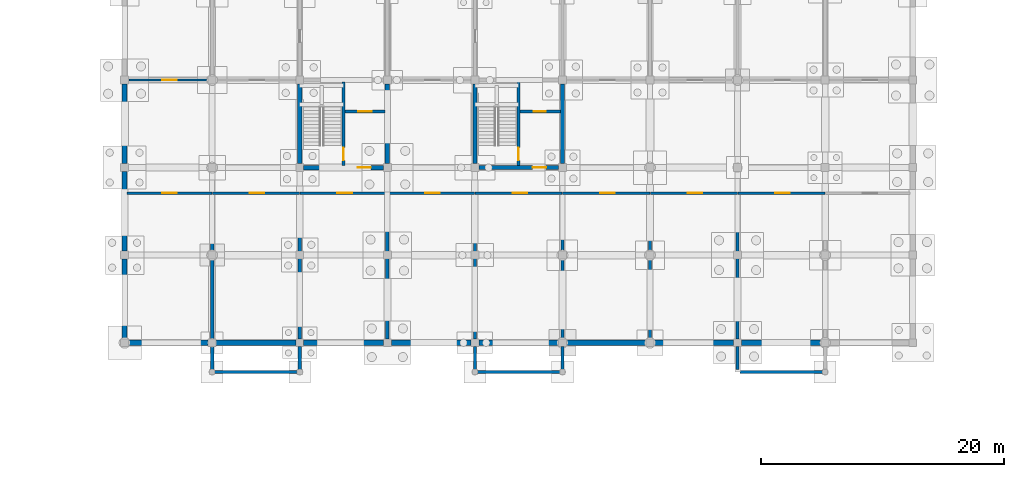
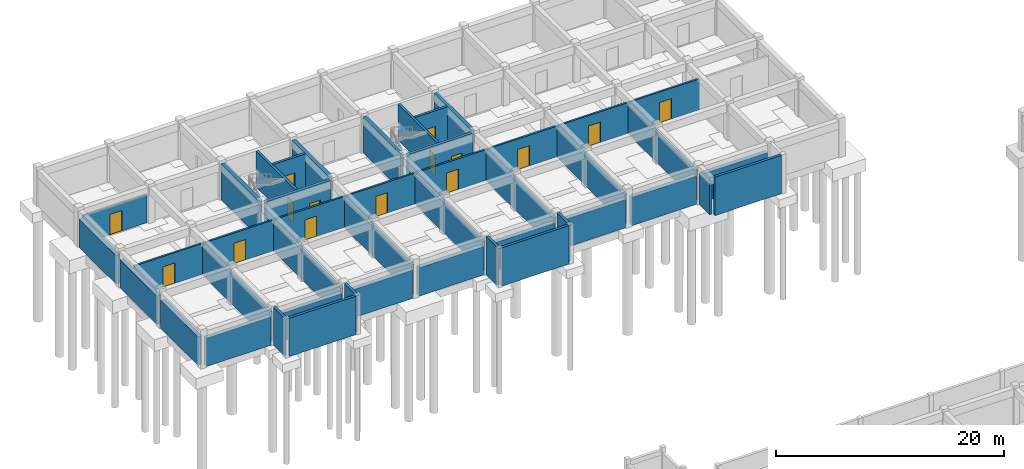
# One storey, part 31 of 38: 45 walls, 15 doors, 15 openings.
"""IFC4 building model written with IfcOpenShell, lengths in metres."""

from ifc_helpers import new_model, si_unit, direction, frame, frame_2d, origin, place, context, subcontext, project, spatial, rectangle, extrude, material, layer, layer_set, type_object, element, fill, save


model = new_model("IFC4")

# Units and contexts
model_context = context("Model", 3, precision=1e-05, world=origin(), true_north=direction((0.0, 1.0)))
body_context = subcontext(model_context, "Body", "Model", "MODEL_VIEW")
ifc_project = project(units=[si_unit("LENGTHUNIT", "METRE"), si_unit("AREAUNIT", "SQUARE_METRE"), si_unit("VOLUMEUNIT", "CUBIC_METRE"), si_unit("PLANEANGLEUNIT", "RADIAN"), si_unit("MASSUNIT", "GRAM", prefix="KILO"), si_unit("THERMODYNAMICTEMPERATUREUNIT", "KELVIN"), si_unit("POWERUNIT", "WATT")], contexts=[model_context])

# Site, building, storey
site_placement = place(None, origin())
site = spatial("IfcSite", under=ifc_project, at=site_placement, CompositionType="ELEMENT")
building_placement = place(site_placement, origin())
building = spatial("IfcBuilding", under=site, at=building_placement, Name="Tavuni Mirador Residences", CompositionType="ELEMENT")
storey_placement = place(building_placement, frame((0.0, 0.0, -4.199951171875)))
storey = spatial("IfcBuildingStorey", under=building, at=storey_placement, Name="B1", CompositionType="ELEMENT", Elevation=-4.199951171875)

# Wall, opening, door
ifc_material_1 = material(Name="Precast concrete C40/50", Category="concrete")
ifc_layer_1 = layer(ifc_material_1, 0.25, Name="Precast concrete C40/50", Category="concrete")
ifc_layer_set_1 = layer_set([ifc_layer_1], Name="Precast concrete C40/50")
wall_type_1 = type_object("IfcWallType", Name="WT-COR250", PredefinedType="SHEAR", material=ifc_layer_set_1)
wall_1_placement = place(storey_placement, frame((28.800048828125, 158.580078125, 0.0), z_axis=(0.0, 0.0, 1.0), x_axis=(0.0, 1.0, 0.0)))
wall_1 = element("IfcWall", 1, at=wall_1_placement, inside=storey, type_object=wall_type_1, Name="CWALL-C5-B1-MID", PredefinedType="SHEAR", context=body_context, shape_type="SweptSolid", body=[
    extrude(rectangle(XDim=6.83984375, YDim=0.25, at=frame_2d((3.419921875, 0.0))), origin(), (0.0, 0.0, 1.0), 3.8798828125),
])
opening_1_placement = place(wall_1_placement, frame((0.419921875, 0.0, 0.0)))
opening_1 = element("IfcOpeningElement", 2, at=opening_1_placement, cuts=wall_1, Name="Opening D-01", PredefinedType="OPENING", context=body_context, shape_type="SweptSolid", body=[
    extrude(rectangle(XDim=1.050048828125, YDim=2.14990234375, at=frame_2d((0.52490234375, 1.074951171875))), frame((0.0, 0.135009765625, 0.0), z_axis=(0.0, -1.0, 0.0), x_axis=(1.0, 0.0, 0.0)), (0.0, 0.0, 1.0), 0.27001953125),
])
ifc_material_2 = material(Name="Solid core iroko timber", Category="wood")
door_type_1 = type_object("IfcDoorType", Name="DT-ST1050", OperationType="NOTDEFINED", PredefinedType="DOOR", material=ifc_material_2)
door_1_placement = place(opening_1_placement, origin())
door_1 = element("IfcDoor", 3, at=door_1_placement, inside=storey, type_object=door_type_1, Name="DR-2172", OperationType="SINGLE_SWING_RIGHT", OverallHeight=2.14990234375, OverallWidth=1.050048828125, PredefinedType="DOOR", context=body_context, shape_type="SweptSolid", body=[
    extrude(rectangle(XDim=1.050048828125, YDim=2.14990234375, at=frame_2d((0.52490234375, 1.074951171875))), frame((0.0, 0.02490234375, 0.0), z_axis=(0.0, -1.0, 0.0), x_axis=(1.0, 0.0, 0.0)), (0.0, 0.0, 1.0), 0.050048828125),
])
fill(opening_1, door_1)

wall_2_placement = place(storey_placement, frame((28.925048828125, 163.0, 0.0), z_axis=(0.0, 0.0, 1.0), x_axis=(1.0, 0.0, 0.0)))
wall_2 = element("IfcWall", 4, at=wall_2_placement, inside=storey, type_object=wall_type_1, Name="CWALL-C5-B1-SHF", PredefinedType="SHEAR", context=body_context, shape_type="SweptSolid", body=[
    extrude(rectangle(XDim=3.294921875, YDim=0.25, at=frame_2d((1.6474609375, 0.0))), origin(), (0.0, 0.0, 1.0), 3.8798828125),
])
opening_2_placement = place(wall_2_placement, frame((1.10009765625, 0.0, 0.0)))
opening_2 = element("IfcOpeningElement", 5, at=opening_2_placement, cuts=wall_2, Name="Opening LD-01", PredefinedType="OPENING", context=body_context, shape_type="SweptSolid", body=[
    extrude(rectangle(XDim=1.10009765625, YDim=2.199951171875, at=frame_2d((0.550048828125, 1.10009765625))), frame((0.0, 0.135009765625, 0.0), z_axis=(0.0, -1.0, 0.0), x_axis=(1.0, 0.0, 0.0)), (0.0, 0.0, 1.0), 0.27001953125),
])
ifc_material_3 = material(Name="Structural steel S355", Category="steel")
door_type_2 = type_object("IfcDoorType", Name="DT-LD-FF", OperationType="SLIDING_TO_LEFT", PredefinedType="DOOR", material=ifc_material_3)
door_2_placement = place(opening_2_placement, origin())
door_2 = element("IfcDoor", 6, at=door_2_placement, inside=storey, type_object=door_type_2, Name="Lift landing door FL-C1 B1", OperationType="SLIDING_TO_LEFT", OverallHeight=2.199951171875, OverallWidth=1.10009765625, PredefinedType="DOOR", context=body_context, shape_type="SweptSolid", body=[
    extrude(rectangle(XDim=1.10009765625, YDim=2.199951171875, at=frame_2d((0.550048828125, 1.10009765625))), frame((0.0, 0.02490234375, 0.0), z_axis=(0.0, -1.0, 0.0), x_axis=(1.0, 0.0, 0.0)), (0.0, 0.0, 1.0), 0.050048828125),
])
fill(opening_2, door_2)

wall_3_placement = place(storey_placement, frame((43.199951171875, 158.56005859375, 0.0), z_axis=(0.0, 0.0, 1.0), x_axis=(0.0, 1.0, 0.0)))
wall_3 = element("IfcWall", 7, at=wall_3_placement, inside=storey, type_object=wall_type_1, Name="CWALL-C6-B1-MID", PredefinedType="SHEAR", context=body_context, shape_type="SweptSolid", body=[
    extrude(rectangle(XDim=6.8798828125, YDim=0.25, at=frame_2d((3.43994140625, 0.0))), origin(), (0.0, 0.0, 1.0), 3.8798828125),
])
opening_3_placement = place(wall_3_placement, frame((0.43994140625, 0.0, 0.0)))
opening_3 = element("IfcOpeningElement", 8, at=opening_3_placement, cuts=wall_3, Name="Opening D-01", PredefinedType="OPENING", context=body_context, shape_type="SweptSolid", body=[
    extrude(rectangle(XDim=1.050048828125, YDim=2.14990234375, at=frame_2d((0.52490234375, 1.074951171875))), frame((0.0, 0.135009765625, 0.0), z_axis=(0.0, -1.0, 0.0), x_axis=(1.0, 0.0, 0.0)), (0.0, 0.0, 1.0), 0.27001953125),
])
door_3_placement = place(opening_3_placement, origin())
door_3 = element("IfcDoor", 9, at=door_3_placement, inside=storey, type_object=door_type_1, Name="DR-2217", OperationType="SINGLE_SWING_LEFT", OverallHeight=2.14990234375, OverallWidth=1.050048828125, PredefinedType="DOOR", context=body_context, shape_type="SweptSolid", body=[
    extrude(rectangle(XDim=1.050048828125, YDim=2.14990234375, at=frame_2d((0.52490234375, 1.074951171875))), frame((0.0, 0.02490234375, 0.0), z_axis=(0.0, -1.0, 0.0), x_axis=(1.0, 0.0, 0.0)), (0.0, 0.0, 1.0), 0.050048828125),
])
fill(opening_3, door_3)

wall_4_placement = place(storey_placement, frame((43.324951171875, 163.0, 0.0), z_axis=(0.0, 0.0, 1.0), x_axis=(1.0, 0.0, 0.0)))
wall_4 = element("IfcWall", 10, at=wall_4_placement, inside=storey, type_object=wall_type_1, Name="CWALL-C6-B1-SHF", PredefinedType="SHEAR", context=body_context, shape_type="SweptSolid", body=[
    extrude(rectangle(XDim=3.31494140625, YDim=0.25, at=frame_2d((1.657470703125, 0.0))), origin(), (0.0, 0.0, 1.0), 3.8798828125),
])
opening_4_placement = place(wall_4_placement, frame((1.10009765625, 0.0, 0.0)))
opening_4 = element("IfcOpeningElement", 11, at=opening_4_placement, cuts=wall_4, Name="Opening LD-02", PredefinedType="OPENING", context=body_context, shape_type="SweptSolid", body=[
    extrude(rectangle(XDim=1.0, YDim=2.199951171875, at=frame_2d((0.5, 1.10009765625))), frame((0.0, 0.135009765625, 0.0), z_axis=(0.0, -1.0, 0.0), x_axis=(1.0, 0.0, 0.0)), (0.0, 0.0, 1.0), 0.27001953125),
])
door_type_3 = type_object("IfcDoorType", Name="DT-LD-PAX", OperationType="SLIDING_TO_LEFT", PredefinedType="DOOR", material=ifc_material_3)
door_4_placement = place(opening_4_placement, origin())
door_4 = element("IfcDoor", 12, at=door_4_placement, inside=storey, type_object=door_type_3, Name="Lift landing door PL-C1 B1", OperationType="SLIDING_TO_LEFT", OverallHeight=2.199951171875, OverallWidth=1.0, PredefinedType="DOOR", context=body_context, shape_type="SweptSolid", body=[
    extrude(rectangle(XDim=1.0, YDim=2.199951171875, at=frame_2d((0.5, 1.10009765625))), frame((0.0, 0.02490234375, 0.0), z_axis=(0.0, -1.0, 0.0), x_axis=(1.0, 0.0, 0.0)), (0.0, 0.0, 1.0), 0.050048828125),
])
fill(opening_4, door_4)

# Walls
ifc_layer_2 = layer(ifc_material_1, 0.320068359375, Name="Precast concrete C40/50", Category="concrete")
ifc_layer_set_2 = layer_set([ifc_layer_2], Name="Precast concrete C40/50")
wall_type_2 = type_object("IfcWallType", Name="WT-COR320", PredefinedType="SHEAR", material=ifc_layer_set_2)
for number, where, z_axis, x_axis, name in (
    (13, (39.60009765625, 158.72509765625, 0.0), (0.0, 0.0, 1.0), (0.0, 1.0, 0.0), "CWALL-C6-B1-W"),
    (14, (46.800048828125, 158.72509765625, 0.0), (0.0, 0.0, 1.0), (0.0, 1.0, 0.0), "CWALL-C6-B1-E"),
):
    element("IfcWall", number, at=place(storey_placement, frame(where, z_axis=z_axis, x_axis=x_axis)), inside=storey, type_object=wall_type_2, Name=name, PredefinedType="SHEAR", context=body_context, shape_type="SweptSolid", body=[
        extrude(rectangle(XDim=6.5498046875, YDim=0.320068359375, at=frame_2d((3.27490234375, 0.0))), origin(), (0.0, 0.0, 1.0), 3.8798828125),
    ])

# Wall, opening, door
wall_5_placement = place(storey_placement, frame((39.925048828125, 158.39990234375, 0.0), z_axis=(0.0, 0.0, 1.0), x_axis=(1.0, 0.0, 0.0)))
wall_5 = element("IfcWall", 15, at=wall_5_placement, inside=storey, type_object=wall_type_2, Name="CWALL-C6-B1-SS", PredefinedType="SHEAR", context=body_context, shape_type="SweptSolid", body=[
    extrude(rectangle(XDim=6.550048828125, YDim=0.320068359375, at=frame_2d((3.27490234375, 0.0))), origin(), (0.0, 0.0, 1.0), 3.8798828125),
])
opening_5_placement = place(wall_5_placement, frame((4.425048828125, 0.0, 0.0)))
opening_5 = element("IfcOpeningElement", 16, at=opening_5_placement, cuts=wall_5, Name="Opening D-02", PredefinedType="OPENING", context=body_context, shape_type="SweptSolid", body=[
    extrude(rectangle(XDim=1.10009765625, YDim=2.14990234375, at=frame_2d((0.550048828125, 1.074951171875))), frame((0.0, 0.169921875, 0.0), z_axis=(0.0, -1.0, 0.0), x_axis=(1.0, 0.0, 0.0)), (0.0, 0.0, 1.0), 0.340087890625),
])
door_type_4 = type_object("IfcDoorType", Name="DT-LOB1100", OperationType="NOTDEFINED", PredefinedType="DOOR", material=ifc_material_2)
door_5_placement = place(opening_5_placement, frame((1.10009765625, 0.0, 0.0), z_axis=(0.0, 0.0, 1.0), x_axis=(-1.0, 0.0, 0.0)))
door_5 = element("IfcDoor", 17, at=door_5_placement, inside=storey, type_object=door_type_4, Name="DR-2216", OperationType="SINGLE_SWING_RIGHT", OverallHeight=2.14990234375, OverallWidth=1.10009765625, PredefinedType="DOOR", context=body_context, shape_type="SweptSolid", body=[
    extrude(rectangle(XDim=1.10009765625, YDim=2.14990234375, at=frame_2d((0.550048828125, 1.074951171875))), frame((0.0, 0.02490234375, 0.0), z_axis=(0.0, -1.0, 0.0), x_axis=(1.0, 0.0, 0.0)), (0.0, 0.0, 1.0), 0.050048828125),
])
fill(opening_5, door_5)

# Walls
ifc_layer_3 = layer(ifc_material_1, 0.360107421875, Name="Precast concrete C40/50", Category="concrete")
ifc_layer_set_3 = layer_set([ifc_layer_3], Name="Precast concrete C40/50")
wall_type_3 = type_object("IfcWallType", Name="WT-COR360", PredefinedType="SHEAR", material=ifc_layer_set_3)
for number, where, z_axis, x_axis, name in (
    (18, (25.199951171875, 158.72509765625, 0.0), (0.0, 0.0, 1.0), (0.0, 1.0, 0.0), "CWALL-C5-B1-W"),
    (19, (32.39990234375, 158.72509765625, 0.0), (0.0, 0.0, 1.0), (0.0, 1.0, 0.0), "CWALL-C5-B1-E"),
):
    element("IfcWall", number, at=place(storey_placement, frame(where, z_axis=z_axis, x_axis=x_axis)), inside=storey, type_object=wall_type_3, Name=name, PredefinedType="SHEAR", context=body_context, shape_type="SweptSolid", body=[
        extrude(rectangle(XDim=6.5498046875, YDim=0.360107421875, at=frame_2d((3.27490234375, 0.0))), origin(), (0.0, 0.0, 1.0), 3.8798828125),
    ])

# Wall, opening, door
wall_6_placement = place(storey_placement, frame((25.52490234375, 158.39990234375, 0.0), z_axis=(0.0, 0.0, 1.0), x_axis=(1.0, 0.0, 0.0)))
wall_6 = element("IfcWall", 20, at=wall_6_placement, inside=storey, type_object=wall_type_3, Name="CWALL-C5-B1-SS", PredefinedType="SHEAR", context=body_context, shape_type="SweptSolid", body=[
    extrude(rectangle(XDim=6.550048828125, YDim=0.360107421875, at=frame_2d((3.27490234375, 0.0))), origin(), (0.0, 0.0, 1.0), 3.8798828125),
])
opening_6_placement = place(wall_6_placement, frame((4.425048828125, 0.0, 0.0)))
opening_6 = element("IfcOpeningElement", 21, at=opening_6_placement, cuts=wall_6, Name="Opening D-02", PredefinedType="OPENING", context=body_context, shape_type="SweptSolid", body=[
    extrude(rectangle(XDim=1.10009765625, YDim=2.14990234375, at=frame_2d((0.550048828125, 1.074951171875))), frame((0.0, 0.18994140625, 0.0), z_axis=(0.0, -1.0, 0.0), x_axis=(1.0, 0.0, 0.0)), (0.0, 0.0, 1.0), 0.380126953125),
])
door_6_placement = place(opening_6_placement, frame((1.10009765625, 0.0, 0.0), z_axis=(0.0, 0.0, 1.0), x_axis=(-1.0, 0.0, 0.0)))
door_6 = element("IfcDoor", 22, at=door_6_placement, inside=storey, type_object=door_type_4, Name="DR-2171", OperationType="SINGLE_SWING_LEFT", OverallHeight=2.14990234375, OverallWidth=1.10009765625, PredefinedType="DOOR", context=body_context, shape_type="SweptSolid", body=[
    extrude(rectangle(XDim=1.10009765625, YDim=2.14990234375, at=frame_2d((0.550048828125, 1.074951171875))), frame((0.0, 0.02490234375, 0.0), z_axis=(0.0, -1.0, 0.0), x_axis=(1.0, 0.0, 0.0)), (0.0, 0.0, 1.0), 0.050048828125),
])
fill(opening_6, door_6)

ifc_layer_4 = layer(ifc_material_1, 0.18505859375, Name="Precast concrete C40/50", Category="concrete")
ifc_layer_set_4 = layer_set([ifc_layer_4], Name="Precast concrete C40/50")
wall_type_4 = type_object("IfcWallType", Name="WT-CORR185", PredefinedType="PARTITIONING", material=ifc_layer_set_4)
wall_7_placement = place(storey_placement, frame((11.014892578125, 156.300048828125, 0.0), z_axis=(0.0, 0.0, 1.0), x_axis=(1.0, 0.0, 0.0)))
wall_7 = element("IfcWall", 23, at=wall_7_placement, inside=storey, type_object=wall_type_4, Name="CORW-BLK-C-B1-0-00", PredefinedType="PARTITIONING", context=body_context, shape_type="SweptSolid", body=[
    extrude(rectangle(XDim=6.965087890625, YDim=0.18505859375, at=frame_2d((3.482421875, 0.0))), origin(), (0.0, 0.0, 1.0), 3.31494140625),
])
opening_7_placement = place(wall_7_placement, frame((2.885009765625, 0.0, 0.0)))
opening_7 = element("IfcOpeningElement", 24, at=opening_7_placement, cuts=wall_7, Name="Opening D-18", PredefinedType="OPENING", context=body_context, shape_type="SweptSolid", body=[
    extrude(rectangle(XDim=1.199951171875, YDim=2.199951171875, at=frame_2d((0.60009765625, 1.10009765625))), frame((0.0, 0.1025390625, 0.0), z_axis=(0.0, -1.0, 0.0), x_axis=(1.0, 0.0, 0.0)), (0.0, 0.0, 1.0), 0.205078125),
])
door_type_5 = type_object("IfcDoorType", Name="DT-PLT1200", OperationType="NOTDEFINED", PredefinedType="DOOR", material=ifc_material_3)
door_7_placement = place(opening_7_placement, origin())
door_7 = element("IfcDoor", 25, at=door_7_placement, inside=storey, type_object=door_type_5, Name="DR-2595", OperationType="SINGLE_SWING_RIGHT", OverallHeight=2.199951171875, OverallWidth=1.199951171875, PredefinedType="DOOR", context=body_context, shape_type="SweptSolid", body=[
    extrude(rectangle(XDim=1.199951171875, YDim=2.199951171875, at=frame_2d((0.60009765625, 1.10009765625))), frame((0.0, 0.02490234375, 0.0), z_axis=(0.0, -1.0, 0.0), x_axis=(1.0, 0.0, 0.0)), (0.0, 0.0, 1.0), 0.050048828125),
])
fill(opening_7, door_7)

wall_8_placement = place(storey_placement, frame((18.02001953125, 156.300048828125, 0.0), z_axis=(0.0, 0.0, 1.0), x_axis=(1.0, 0.0, 0.0)))
wall_8 = element("IfcWall", 26, at=wall_8_placement, inside=storey, type_object=wall_type_4, Name="CORW-BLK-C-B1-0-01", PredefinedType="PARTITIONING", context=body_context, shape_type="SweptSolid", body=[
    extrude(rectangle(XDim=7.159912109375, YDim=0.18505859375, at=frame_2d((3.580078125, 0.0))), origin(), (0.0, 0.0, 1.0), 3.31494140625),
])
opening_8_placement = place(wall_8_placement, frame((3.080078125, 0.0, 0.0)))
opening_8 = element("IfcOpeningElement", 27, at=opening_8_placement, cuts=wall_8, Name="Opening D-18", PredefinedType="OPENING", context=body_context, shape_type="SweptSolid", body=[
    extrude(rectangle(XDim=1.199951171875, YDim=2.199951171875, at=frame_2d((0.60009765625, 1.10009765625))), frame((0.0, 0.1025390625, 0.0), z_axis=(0.0, -1.0, 0.0), x_axis=(1.0, 0.0, 0.0)), (0.0, 0.0, 1.0), 0.205078125),
])
door_8_placement = place(opening_8_placement, origin())
door_8 = element("IfcDoor", 28, at=door_8_placement, inside=storey, type_object=door_type_5, Name="DR-2596", OperationType="SINGLE_SWING_LEFT", OverallHeight=2.199951171875, OverallWidth=1.199951171875, PredefinedType="DOOR", context=body_context, shape_type="SweptSolid", body=[
    extrude(rectangle(XDim=1.199951171875, YDim=2.199951171875, at=frame_2d((0.60009765625, 1.10009765625))), frame((0.0, 0.02490234375, 0.0), z_axis=(0.0, -1.0, 0.0), x_axis=(1.0, 0.0, 0.0)), (0.0, 0.0, 1.0), 0.050048828125),
])
fill(opening_8, door_8)

wall_9_placement = place(storey_placement, frame((25.219970703125, 156.300048828125, 0.0), z_axis=(0.0, 0.0, 1.0), x_axis=(1.0, 0.0, 0.0)))
wall_9 = element("IfcWall", 29, at=wall_9_placement, inside=storey, type_object=wall_type_4, Name="CORW-BLK-C-B1-0-02", PredefinedType="PARTITIONING", context=body_context, shape_type="SweptSolid", body=[
    extrude(rectangle(XDim=7.159912109375, YDim=0.18505859375, at=frame_2d((3.580078125, 0.0))), origin(), (0.0, 0.0, 1.0), 3.31494140625),
])
opening_9_placement = place(wall_9_placement, frame((3.080078125, 0.0, 0.0)))
opening_9 = element("IfcOpeningElement", 30, at=opening_9_placement, cuts=wall_9, Name="Opening D-18", PredefinedType="OPENING", context=body_context, shape_type="SweptSolid", body=[
    extrude(rectangle(XDim=1.199951171875, YDim=2.199951171875, at=frame_2d((0.60009765625, 1.10009765625))), frame((0.0, 0.1025390625, 0.0), z_axis=(0.0, -1.0, 0.0), x_axis=(1.0, 0.0, 0.0)), (0.0, 0.0, 1.0), 0.205078125),
])
door_9_placement = place(opening_9_placement, origin())
door_9 = element("IfcDoor", 31, at=door_9_placement, inside=storey, type_object=door_type_5, Name="DR-2597", OperationType="SINGLE_SWING_RIGHT", OverallHeight=2.199951171875, OverallWidth=1.199951171875, PredefinedType="DOOR", context=body_context, shape_type="SweptSolid", body=[
    extrude(rectangle(XDim=1.199951171875, YDim=2.199951171875, at=frame_2d((0.60009765625, 1.10009765625))), frame((0.0, 0.02490234375, 0.0), z_axis=(0.0, -1.0, 0.0), x_axis=(1.0, 0.0, 0.0)), (0.0, 0.0, 1.0), 0.050048828125),
])
fill(opening_9, door_9)

wall_10_placement = place(storey_placement, frame((32.419921875, 156.300048828125, 0.0), z_axis=(0.0, 0.0, 1.0), x_axis=(1.0, 0.0, 0.0)))
wall_10 = element("IfcWall", 32, at=wall_10_placement, inside=storey, type_object=wall_type_4, Name="CORW-BLK-C-B1-0-03", PredefinedType="PARTITIONING", context=body_context, shape_type="SweptSolid", body=[
    extrude(rectangle(XDim=7.16015625, YDim=0.18505859375, at=frame_2d((3.580078125, 0.0))), origin(), (0.0, 0.0, 1.0), 3.31494140625),
])
opening_10_placement = place(wall_10_placement, frame((3.080078125, 0.0, 0.0)))
opening_10 = element("IfcOpeningElement", 33, at=opening_10_placement, cuts=wall_10, Name="Opening D-18", PredefinedType="OPENING", context=body_context, shape_type="SweptSolid", body=[
    extrude(rectangle(XDim=1.199951171875, YDim=2.199951171875, at=frame_2d((0.60009765625, 1.10009765625))), frame((0.0, 0.1025390625, 0.0), z_axis=(0.0, -1.0, 0.0), x_axis=(1.0, 0.0, 0.0)), (0.0, 0.0, 1.0), 0.205078125),
])
door_10_placement = place(opening_10_placement, origin())
door_10 = element("IfcDoor", 34, at=door_10_placement, inside=storey, type_object=door_type_5, Name="DR-2598", OperationType="SINGLE_SWING_LEFT", OverallHeight=2.199951171875, OverallWidth=1.199951171875, PredefinedType="DOOR", context=body_context, shape_type="SweptSolid", body=[
    extrude(rectangle(XDim=1.199951171875, YDim=2.199951171875, at=frame_2d((0.60009765625, 1.10009765625))), frame((0.0, 0.02490234375, 0.0), z_axis=(0.0, -1.0, 0.0), x_axis=(1.0, 0.0, 0.0)), (0.0, 0.0, 1.0), 0.050048828125),
])
fill(opening_10, door_10)

wall_11_placement = place(storey_placement, frame((39.6201171875, 156.300048828125, 0.0), z_axis=(0.0, 0.0, 1.0), x_axis=(1.0, 0.0, 0.0)))
wall_11 = element("IfcWall", 35, at=wall_11_placement, inside=storey, type_object=wall_type_4, Name="CORW-BLK-C-B1-0-04", PredefinedType="PARTITIONING", context=body_context, shape_type="SweptSolid", body=[
    extrude(rectangle(XDim=7.159912109375, YDim=0.18505859375, at=frame_2d((3.580078125, 0.0))), origin(), (0.0, 0.0, 1.0), 3.31494140625),
])
opening_11_placement = place(wall_11_placement, frame((3.080078125, 0.0, 0.0)))
opening_11 = element("IfcOpeningElement", 36, at=opening_11_placement, cuts=wall_11, Name="Opening D-18", PredefinedType="OPENING", context=body_context, shape_type="SweptSolid", body=[
    extrude(rectangle(XDim=1.199951171875, YDim=2.199951171875, at=frame_2d((0.60009765625, 1.10009765625))), frame((0.0, 0.1025390625, 0.0), z_axis=(0.0, -1.0, 0.0), x_axis=(1.0, 0.0, 0.0)), (0.0, 0.0, 1.0), 0.205078125),
])
door_11_placement = place(opening_11_placement, origin())
door_11 = element("IfcDoor", 37, at=door_11_placement, inside=storey, type_object=door_type_5, Name="DR-2599", OperationType="SINGLE_SWING_RIGHT", OverallHeight=2.199951171875, OverallWidth=1.199951171875, PredefinedType="DOOR", context=body_context, shape_type="SweptSolid", body=[
    extrude(rectangle(XDim=1.199951171875, YDim=2.199951171875, at=frame_2d((0.60009765625, 1.10009765625))), frame((0.0, 0.02490234375, 0.0), z_axis=(0.0, -1.0, 0.0), x_axis=(1.0, 0.0, 0.0)), (0.0, 0.0, 1.0), 0.050048828125),
])
fill(opening_11, door_11)

wall_12_placement = place(storey_placement, frame((46.820068359375, 156.300048828125, 0.0), z_axis=(0.0, 0.0, 1.0), x_axis=(1.0, 0.0, 0.0)))
wall_12 = element("IfcWall", 38, at=wall_12_placement, inside=storey, type_object=wall_type_4, Name="CORW-BLK-C-B1-0-05", PredefinedType="PARTITIONING", context=body_context, shape_type="SweptSolid", body=[
    extrude(rectangle(XDim=7.159912109375, YDim=0.18505859375, at=frame_2d((3.580078125, 0.0))), origin(), (0.0, 0.0, 1.0), 3.31494140625),
])
opening_12_placement = place(wall_12_placement, frame((3.080078125, 0.0, 0.0)))
opening_12 = element("IfcOpeningElement", 39, at=opening_12_placement, cuts=wall_12, Name="Opening D-18", PredefinedType="OPENING", context=body_context, shape_type="SweptSolid", body=[
    extrude(rectangle(XDim=1.199951171875, YDim=2.199951171875, at=frame_2d((0.60009765625, 1.10009765625))), frame((0.0, 0.1025390625, 0.0), z_axis=(0.0, -1.0, 0.0), x_axis=(1.0, 0.0, 0.0)), (0.0, 0.0, 1.0), 0.205078125),
])
door_12_placement = place(opening_12_placement, origin())
door_12 = element("IfcDoor", 40, at=door_12_placement, inside=storey, type_object=door_type_5, Name="DR-2600", OperationType="SINGLE_SWING_LEFT", OverallHeight=2.199951171875, OverallWidth=1.199951171875, PredefinedType="DOOR", context=body_context, shape_type="SweptSolid", body=[
    extrude(rectangle(XDim=1.199951171875, YDim=2.199951171875, at=frame_2d((0.60009765625, 1.10009765625))), frame((0.0, 0.02490234375, 0.0), z_axis=(0.0, -1.0, 0.0), x_axis=(1.0, 0.0, 0.0)), (0.0, 0.0, 1.0), 0.050048828125),
])
fill(opening_12, door_12)

wall_13_placement = place(storey_placement, frame((54.02001953125, 156.300048828125, 0.0), z_axis=(0.0, 0.0, 1.0), x_axis=(1.0, 0.0, 0.0)))
wall_13 = element("IfcWall", 41, at=wall_13_placement, inside=storey, type_object=wall_type_4, Name="CORW-BLK-C-B1-0-06", PredefinedType="PARTITIONING", context=body_context, shape_type="SweptSolid", body=[
    extrude(rectangle(XDim=7.159912109375, YDim=0.18505859375, at=frame_2d((3.580078125, 0.0))), origin(), (0.0, 0.0, 1.0), 3.31494140625),
])
opening_13_placement = place(wall_13_placement, frame((3.080078125, 0.0, 0.0)))
opening_13 = element("IfcOpeningElement", 42, at=opening_13_placement, cuts=wall_13, Name="Opening D-18", PredefinedType="OPENING", context=body_context, shape_type="SweptSolid", body=[
    extrude(rectangle(XDim=1.199951171875, YDim=2.199951171875, at=frame_2d((0.60009765625, 1.10009765625))), frame((0.0, 0.1025390625, 0.0), z_axis=(0.0, -1.0, 0.0), x_axis=(1.0, 0.0, 0.0)), (0.0, 0.0, 1.0), 0.205078125),
])
door_13_placement = place(opening_13_placement, origin())
door_13 = element("IfcDoor", 43, at=door_13_placement, inside=storey, type_object=door_type_5, Name="DR-2601", OperationType="SINGLE_SWING_RIGHT", OverallHeight=2.199951171875, OverallWidth=1.199951171875, PredefinedType="DOOR", context=body_context, shape_type="SweptSolid", body=[
    extrude(rectangle(XDim=1.199951171875, YDim=2.199951171875, at=frame_2d((0.60009765625, 1.10009765625))), frame((0.0, 0.02490234375, 0.0), z_axis=(0.0, -1.0, 0.0), x_axis=(1.0, 0.0, 0.0)), (0.0, 0.0, 1.0), 0.050048828125),
])
fill(opening_13, door_13)

wall_14_placement = place(storey_placement, frame((61.219970703125, 156.300048828125, 0.0), z_axis=(0.0, 0.0, 1.0), x_axis=(1.0, 0.0, 0.0)))
wall_14 = element("IfcWall", 44, at=wall_14_placement, inside=storey, type_object=wall_type_4, Name="CORW-BLK-C-B1-0-07", PredefinedType="PARTITIONING", context=body_context, shape_type="SweptSolid", body=[
    extrude(rectangle(XDim=7.159912109375, YDim=0.18505859375, at=frame_2d((3.580078125, 0.0))), origin(), (0.0, 0.0, 1.0), 3.31494140625),
])
opening_14_placement = place(wall_14_placement, frame((3.080078125, 0.0, 0.0)))
opening_14 = element("IfcOpeningElement", 45, at=opening_14_placement, cuts=wall_14, Name="Opening D-18", PredefinedType="OPENING", context=body_context, shape_type="SweptSolid", body=[
    extrude(rectangle(XDim=1.199951171875, YDim=2.199951171875, at=frame_2d((0.60009765625, 1.10009765625))), frame((0.0, 0.1025390625, 0.0), z_axis=(0.0, -1.0, 0.0), x_axis=(1.0, 0.0, 0.0)), (0.0, 0.0, 1.0), 0.205078125),
])
door_14_placement = place(opening_14_placement, origin())
door_14 = element("IfcDoor", 46, at=door_14_placement, inside=storey, type_object=door_type_5, Name="DR-2602", OperationType="SINGLE_SWING_LEFT", OverallHeight=2.199951171875, OverallWidth=1.199951171875, PredefinedType="DOOR", context=body_context, shape_type="SweptSolid", body=[
    extrude(rectangle(XDim=1.199951171875, YDim=2.199951171875, at=frame_2d((0.60009765625, 1.10009765625))), frame((0.0, 0.02490234375, 0.0), z_axis=(0.0, -1.0, 0.0), x_axis=(1.0, 0.0, 0.0)), (0.0, 0.0, 1.0), 0.050048828125),
])
fill(opening_14, door_14)

wall_15_placement = place(storey_placement, frame((11.14990234375, 165.60009765625, 0.0), z_axis=(0.0, 0.0, 1.0), x_axis=(1.0, 0.0, 0.0)))
wall_15 = element("IfcWall", 47, at=wall_15_placement, inside=storey, type_object=wall_type_4, Name="CORW-BLK-C-B1-1-00", PredefinedType="PARTITIONING", context=body_context, shape_type="SweptSolid", body=[
    extrude(rectangle(XDim=6.5, YDim=0.18505859375, at=frame_2d((3.25, 0.0))), origin(), (0.0, 0.0, 1.0), 3.030029296875),
])
opening_15_placement = place(wall_15_placement, frame((2.75, 0.0, 0.0)))
opening_15 = element("IfcOpeningElement", 48, at=opening_15_placement, cuts=wall_15, Name="Opening D-18", PredefinedType="OPENING", context=body_context, shape_type="SweptSolid", body=[
    extrude(rectangle(XDim=1.199951171875, YDim=2.199951171875, at=frame_2d((0.60009765625, 1.10009765625))), frame((0.0, 0.1025390625, 0.0), z_axis=(0.0, -1.0, 0.0), x_axis=(1.0, 0.0, 0.0)), (0.0, 0.0, 1.0), 0.205078125),
])
door_15_placement = place(opening_15_placement, origin())
door_15 = element("IfcDoor", 49, at=door_15_placement, inside=storey, type_object=door_type_5, Name="DR-2604", OperationType="SINGLE_SWING_LEFT", OverallHeight=2.199951171875, OverallWidth=1.199951171875, PredefinedType="DOOR", context=body_context, shape_type="SweptSolid", body=[
    extrude(rectangle(XDim=1.199951171875, YDim=2.199951171875, at=frame_2d((0.60009765625, 1.10009765625))), frame((0.0, 0.02490234375, 0.0), z_axis=(0.0, -1.0, 0.0), x_axis=(1.0, 0.0, 0.0)), (0.0, 0.0, 1.0), 0.050048828125),
])
fill(opening_15, door_15)

# Walls
ifc_material_4 = material(Name="In-situ concrete C35/45", Category="concrete")
ifc_layer_5 = layer(ifc_material_4, 0.419921875, Name="In-situ concrete C35/45", Category="concrete")
ifc_layer_set_5 = layer_set([ifc_layer_5], Name="In-situ concrete C35/45")
wall_type_5 = type_object("IfcWallType", Name="WT-RET420", PredefinedType="USERDEFINED", material=ifc_layer_set_5)
for number, where, z_axis, x_axis, name in (
    (50, (11.125, 144.0, 0.0), (0.0, 0.0, 1.0), (1.0, 0.0, 0.0), "RET-BLK-C-S-00"),
    (51, (18.324951171875, 144.0, 0.0), (0.0, 0.0, 1.0), (1.0, 0.0, 0.0), "RET-BLK-C-S-01"),
    (52, (25.52490234375, 144.0, 0.0), (0.0, 0.0, 1.0), (1.0, 0.0, 0.0), "RET-BLK-C-S-02"),
):
    element("IfcWall", number, at=place(storey_placement, frame(where, z_axis=z_axis, x_axis=x_axis)), inside=storey, type_object=wall_type_5, Name=name, ObjectType="RETAINING WALL", PredefinedType="USERDEFINED", context=body_context, shape_type="SweptSolid", body=[
        extrude(rectangle(XDim=6.550048828125, YDim=0.419921875, at=frame_2d((3.27490234375, 0.0))), origin(), (0.0, 0.0, 1.0), 3.030029296875),
    ])
wall_16_placement = place(storey_placement, frame((32.72509765625, 144.0, 0.0), z_axis=(0.0, 0.0, 1.0), x_axis=(1.0, 0.0, 0.0)))
element("IfcWall", 53, at=wall_16_placement, inside=storey, type_object=wall_type_5, Name="RET-BLK-C-S-03", ObjectType="RETAINING WALL", PredefinedType="USERDEFINED", context=body_context, shape_type="SweptSolid", body=[
    extrude(rectangle(XDim=6.5498046875, YDim=0.419921875, at=frame_2d((3.27490234375, 0.0))), origin(), (0.0, 0.0, 1.0), 3.030029296875),
])
for number, where, z_axis, x_axis, name in (
    (54, (39.925048828125, 144.0, 0.0), (0.0, 0.0, 1.0), (1.0, 0.0, 0.0), "RET-BLK-C-S-04"),
    (55, (47.125, 144.0, 0.0), (0.0, 0.0, 1.0), (1.0, 0.0, 0.0), "RET-BLK-C-S-05"),
    (56, (54.324951171875, 144.0, 0.0), (0.0, 0.0, 1.0), (1.0, 0.0, 0.0), "RET-BLK-C-S-06"),
    (57, (61.52490234375, 144.0, 0.0), (0.0, 0.0, 1.0), (1.0, 0.0, 0.0), "RET-BLK-C-S-07"),
    (58, (10.800048828125, 150.875, 0.0), (0.0, 0.0, 1.0), (0.0, -1.0, 0.0), "RET-BLK-C-W-00"),
    (59, (10.800048828125, 158.074951171875, 0.0), (0.0, 0.0, 1.0), (0.0, -1.0, 0.0), "RET-BLK-C-W-01"),
):
    element("IfcWall", number, at=place(storey_placement, frame(where, z_axis=z_axis, x_axis=x_axis)), inside=storey, type_object=wall_type_5, Name=name, ObjectType="RETAINING WALL", PredefinedType="USERDEFINED", context=body_context, shape_type="SweptSolid", body=[
        extrude(rectangle(XDim=6.550048828125, YDim=0.419921875, at=frame_2d((3.27490234375, 0.0))), origin(), (0.0, 0.0, 1.0), 3.030029296875),
    ])
wall_17_placement = place(storey_placement, frame((10.800048828125, 165.27490234375, 0.0), z_axis=(0.0, 0.0, 1.0), x_axis=(0.0, -1.0, 0.0)))
element("IfcWall", 60, at=wall_17_placement, inside=storey, type_object=wall_type_5, Name="RET-BLK-C-W-02", ObjectType="RETAINING WALL", PredefinedType="USERDEFINED", context=body_context, shape_type="SweptSolid", body=[
    extrude(rectangle(XDim=6.5498046875, YDim=0.419921875, at=frame_2d((3.27490234375, 0.0))), origin(), (0.0, 0.0, 1.0), 3.030029296875),
])
ifc_layer_6 = layer(ifc_material_1, 0.264892578125, Name="Precast concrete C40/50", Category="concrete")
ifc_layer_set_6 = layer_set([ifc_layer_6], Name="Precast concrete C40/50")
wall_type_6 = type_object("IfcWallType", Name="WT-XW265", PredefinedType="SOLIDWALL", material=ifc_layer_set_6)
wall_18_placement = place(storey_placement, frame((18.2099609375, 141.60009765625, 0.0), z_axis=(0.0, 0.0, 1.0), x_axis=(1.0, 0.0, 0.0)))
element("IfcWall", 61, at=wall_18_placement, inside=storey, type_object=wall_type_6, Name="RET-APR-BLKC-S1-S0", PredefinedType="SOLIDWALL", context=body_context, shape_type="SweptSolid", body=[
    extrude(rectangle(XDim=6.780029296875, YDim=0.264892578125, at=frame_2d((3.39013671875, 0.0))), origin(), (0.0, 0.0, 1.0), 4.119873046875),
])
for number, where, z_axis, x_axis, name in (
    (62, (25.199951171875, 141.81005859375, 0.0), (0.0, 0.0, 1.0), (0.0, 1.0, 0.0), "RET-APR-BLKC-S1-E0"),
    (63, (18.0, 143.675048828125, 0.0), (0.0, 0.0, 1.0), (0.0, -1.0, 0.0), "RET-APR-BLKC-S1-W0"),
):
    element("IfcWall", number, at=place(storey_placement, frame(where, z_axis=z_axis, x_axis=x_axis)), inside=storey, type_object=wall_type_6, Name=name, PredefinedType="SOLIDWALL", context=body_context, shape_type="SweptSolid", body=[
        extrude(rectangle(XDim=1.864990234375, YDim=0.264892578125, at=frame_2d((0.9326171875, 0.0))), origin(), (0.0, 0.0, 1.0), 4.119873046875),
    ])
wall_19_placement = place(storey_placement, frame((39.81005859375, 141.60009765625, 0.0), z_axis=(0.0, 0.0, 1.0), x_axis=(1.0, 0.0, 0.0)))
element("IfcWall", 64, at=wall_19_placement, inside=storey, type_object=wall_type_6, Name="RET-APR-BLKC-S2-S0", PredefinedType="SOLIDWALL", context=body_context, shape_type="SweptSolid", body=[
    extrude(rectangle(XDim=6.780029296875, YDim=0.264892578125, at=frame_2d((3.39013671875, 0.0))), origin(), (0.0, 0.0, 1.0), 4.119873046875),
])
for number, where, z_axis, x_axis, name in (
    (65, (46.800048828125, 141.81005859375, 0.0), (0.0, 0.0, 1.0), (0.0, 1.0, 0.0), "RET-APR-BLKC-S2-E0"),
    (66, (39.60009765625, 143.675048828125, 0.0), (0.0, 0.0, 1.0), (0.0, -1.0, 0.0), "RET-APR-BLKC-S2-W0"),
):
    element("IfcWall", number, at=place(storey_placement, frame(where, z_axis=z_axis, x_axis=x_axis)), inside=storey, type_object=wall_type_6, Name=name, PredefinedType="SOLIDWALL", context=body_context, shape_type="SweptSolid", body=[
        extrude(rectangle(XDim=1.864990234375, YDim=0.264892578125, at=frame_2d((0.9326171875, 0.0))), origin(), (0.0, 0.0, 1.0), 4.119873046875),
    ])
wall_20_placement = place(storey_placement, frame((61.409912109375, 141.60009765625, 0.0), z_axis=(0.0, 0.0, 1.0), x_axis=(1.0, 0.0, 0.0)))
element("IfcWall", 67, at=wall_20_placement, inside=storey, type_object=wall_type_6, Name="RET-APR-BLKC-S3-S0", PredefinedType="SOLIDWALL", context=body_context, shape_type="SweptSolid", body=[
    extrude(rectangle(XDim=6.780029296875, YDim=0.264892578125, at=frame_2d((3.39013671875, 0.0))), origin(), (0.0, 0.0, 1.0), 4.119873046875),
])
wall_21_placement = place(storey_placement, frame((61.199951171875, 143.675048828125, 0.0), z_axis=(0.0, 0.0, 1.0), x_axis=(0.0, -1.0, 0.0)))
element("IfcWall", 68, at=wall_21_placement, inside=storey, type_object=wall_type_6, Name="RET-APR-BLKC-S3-W0", PredefinedType="SOLIDWALL", context=body_context, shape_type="SweptSolid", body=[
    extrude(rectangle(XDim=1.864990234375, YDim=0.264892578125, at=frame_2d((0.9326171875, 0.0))), origin(), (0.0, 0.0, 1.0), 3.349853515625),
])
for number, where, z_axis, x_axis, name in (
    (69, (18.0, 144.324951171875, 0.0), (0.0, 0.0, 1.0), (0.0, 1.0, 0.0), "XW-BLK-C-B1-S-01"),
    (70, (25.199951171875, 144.324951171875, 0.0), (0.0, 0.0, 1.0), (0.0, 1.0, 0.0), "XW-BLK-C-B1-S-02"),
    (71, (32.39990234375, 144.324951171875, 0.0), (0.0, 0.0, 1.0), (0.0, 1.0, 0.0), "XW-BLK-C-B1-S-03"),
    (72, (39.60009765625, 144.324951171875, 0.0), (0.0, 0.0, 1.0), (0.0, 1.0, 0.0), "XW-BLK-C-B1-S-04"),
    (73, (46.800048828125, 144.324951171875, 0.0), (0.0, 0.0, 1.0), (0.0, 1.0, 0.0), "XW-BLK-C-B1-S-05"),
    (74, (54.0, 144.324951171875, 0.0), (0.0, 0.0, 1.0), (0.0, 1.0, 0.0), "XW-BLK-C-B1-S-06"),
    (75, (61.199951171875, 144.324951171875, 0.0), (0.0, 0.0, 1.0), (0.0, 1.0, 0.0), "XW-BLK-C-B1-S-07"),
):
    element("IfcWall", number, at=place(storey_placement, frame(where, z_axis=z_axis, x_axis=x_axis)), inside=storey, type_object=wall_type_6, Name=name, PredefinedType="SOLIDWALL", context=body_context, shape_type="SweptSolid", body=[
        extrude(rectangle(XDim=11.824951171875, YDim=0.264892578125, at=frame_2d((5.91259765625, 0.0))), origin(), (0.0, 0.0, 1.0), 3.179931640625),
    ])

save(model, "model.ifc")
